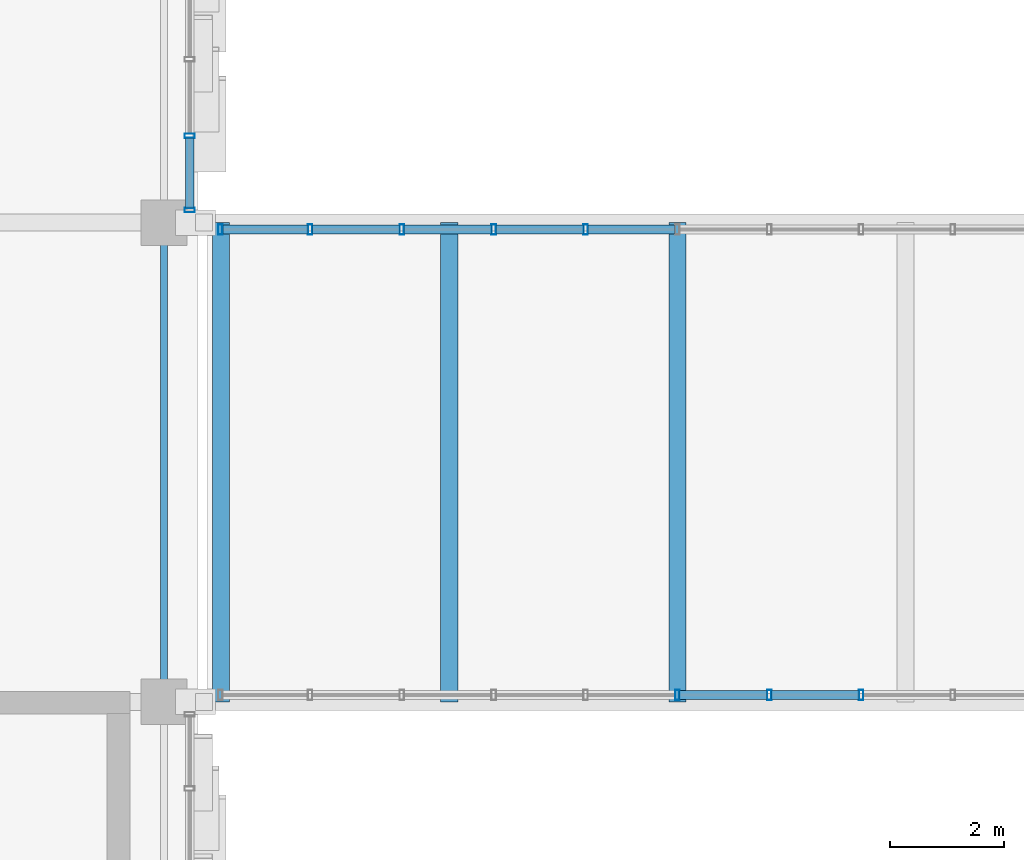
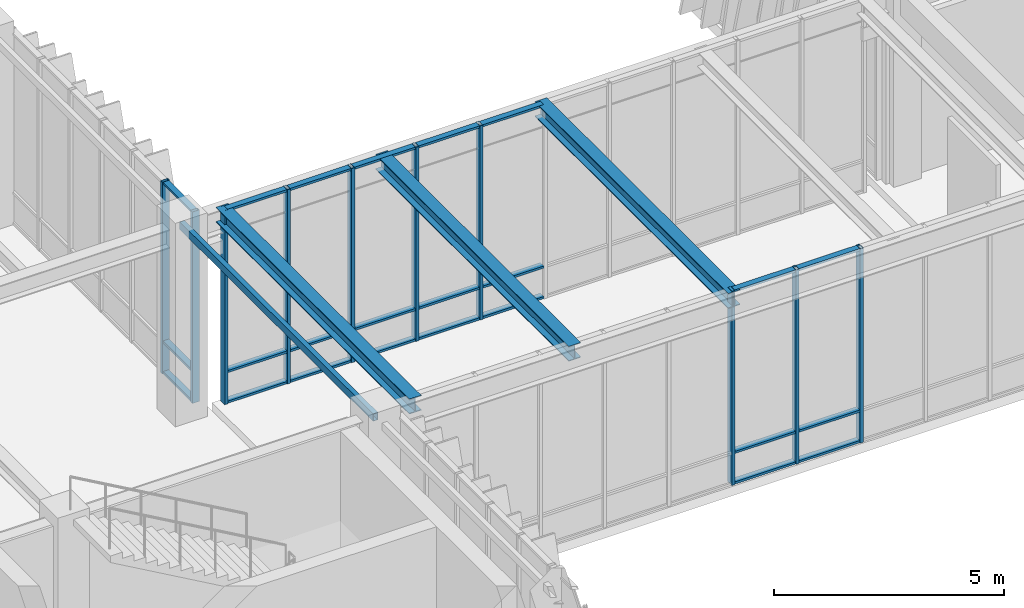
# One storey, part 58 of 139: 34 members, 4 beams, 3 elements without a shape of their own.
"""IFC4 building model written with IfcOpenShell, lengths in metres."""

import ifcopenshell
import ifcopenshell.guid

model = None  # the IFC model being written
_history = None  # IfcOwnerHistory: only IFC2X3 demands one
_inside = {}  # id of a spatial element -> (the spatial element, [elements in it])
_under = {}  # id of a project, library or spatial element -> (it, [spatial elements below it])
_declared = {}  # id of a project -> (the project, [libraries it declares])
_typed = {}  # id of a type object -> (the type object, [elements of that type])
_made_of = {}  # id of a material, layer set ... -> (it, [elements and type objects made of it])


def new_model(schema):
    """Start an empty IFC model of exactly this schema.

    Asked for "IFC4X3", IfcOpenShell would pick the latest addendum, in which some entities
    have other attributes; the version numbers below select the first issue.
    IFC2X3 requires an IfcOwnerHistory on every rooted entity: one is made here for all.
    """
    global model, _history
    if schema == "IFC4X3":
        model = ifcopenshell.file(schema_version=(4, 3, 0, 0))
    else:
        model = ifcopenshell.file(schema=schema)
    _inside.clear()
    _under.clear()
    _declared.clear()
    _typed.clear()
    _made_of.clear()
    _history = None
    if model.schema == "IFC2X3":
        org = make("IfcOrganization", Name="unknown")
        user = make(
            "IfcPersonAndOrganization",
            ThePerson=make("IfcPerson", FamilyName="unknown"),
            TheOrganization=org,
        )
        app = make(
            "IfcApplication",
            ApplicationDeveloper=org,
            Version="unknown",
            ApplicationFullName="unknown",
            ApplicationIdentifier="unknown",
        )
        _history = make(
            "IfcOwnerHistory",
            OwningUser=user,
            OwningApplication=app,
            ChangeAction="ADDED",
            CreationDate=0,
        )
    return model


def make(cls, **values):
    """One entity of the class cls with the attributes given. An attribute that is None is left unset."""
    return model.create_entity(
        cls, **{name: value for name, value in values.items() if value is not None}
    )


def rooted(cls, **values):
    """An entity with a GlobalId (a new one), such as an element, a storey or a relation."""
    return make(cls, GlobalId=ifcopenshell.guid.new(), OwnerHistory=_history, **values)


def si_unit(unit_type, name, prefix=None):
    """IfcSIUnit, for example si_unit("LENGTHUNIT", "METRE", prefix="MILLI")."""
    return make("IfcSIUnit", UnitType=unit_type, Prefix=prefix, Name=name)


def assignment(units):
    """IfcUnitAssignment: the units of a project."""
    return None if units is None else make("IfcUnitAssignment", Units=units)


def point(xyz):
    """IfcCartesianPoint."""
    return None if xyz is None else make("IfcCartesianPoint", Coordinates=xyz)


def direction(xyz):
    """IfcDirection."""
    return None if xyz is None else make("IfcDirection", DirectionRatios=xyz)


def frame(location, z_axis=None, x_axis=None):
    """IfcAxis2Placement3D, a coordinate frame: its origin and axes. An axis left out is left unset."""
    return make(
        "IfcAxis2Placement3D",
        Location=point(location),
        Axis=direction(z_axis),
        RefDirection=direction(x_axis),
    )


def frame_2d(location, x_axis=None):
    """IfcAxis2Placement2D, a coordinate frame in the plane: its origin and x axis."""
    return make(
        "IfcAxis2Placement2D", Location=point(location), RefDirection=direction(x_axis)
    )


def origin():
    """The frame at (0, 0, 0) with its axes left unset."""
    return frame((0.0, 0.0, 0.0))


def origin_2d():
    """The frame at (0, 0) in the plane with its x axis left unset."""
    return frame_2d((0.0, 0.0))


def place(relative_to, where):
    """IfcLocalPlacement: puts the frame where relative to a parent placement (None: the world)."""
    return make(
        "IfcLocalPlacement", PlacementRelTo=relative_to, RelativePlacement=where
    )


def context(
    kind, dimensions, precision=None, world=None, true_north=None, identifier=None
):
    """IfcGeometricRepresentationContext, for example the 3D "Model" context."""
    return make(
        "IfcGeometricRepresentationContext",
        ContextIdentifier=identifier,
        ContextType=kind,
        CoordinateSpaceDimension=dimensions,
        Precision=precision,
        WorldCoordinateSystem=world,
        TrueNorth=true_north,
    )


def subcontext(parent, identifier, kind, view, scale=None):
    """IfcGeometricRepresentationSubContext, for example "Body" below "Model"."""
    return make(
        "IfcGeometricRepresentationSubContext",
        ContextIdentifier=identifier,
        ContextType=kind,
        ParentContext=parent,
        TargetScale=scale,
        TargetView=view,
    )


def project(units=None, contexts=None):
    """IfcProject with its units and contexts."""
    return rooted(
        "IfcProject",
        Name="project",
        RepresentationContexts=contexts,
        UnitsInContext=assignment(units),
    )


def spatial(cls, under=None, at=None, **own):
    """A site, building, storey or space (cls), placed at a placement, below another one or the project."""
    s = rooted(cls, ObjectPlacement=at, **own)
    if under is not None:
        _under.setdefault(under.id(), (under, []))[1].append(s)
    return s


def profile(cls, at=None, kind="AREA", **sizes):
    """A parametric profile (cls). Its sizes go by their IFC names, for example OverallWidth=200.0."""
    return make(cls, ProfileType=kind, Position=at, **sizes)


def hollow_rectangle(**sizes):
    """IfcRectangleHollowProfileDef."""
    return profile("IfcRectangleHollowProfileDef", **sizes)


def i_section(**sizes):
    """IfcIShapeProfileDef."""
    return profile("IfcIShapeProfileDef", **sizes)


def extrude(swept, where, along, depth):
    """IfcExtrudedAreaSolid: the profile swept, set in the frame where, extruded along a direction by depth."""
    return make(
        "IfcExtrudedAreaSolid",
        SweptArea=swept,
        Position=where,
        ExtrudedDirection=direction(along),
        Depth=depth,
    )


def shape(context_of_items, identifier, shape_type, items):
    """IfcShapeRepresentation: the items that make up one representation, for example the "Body"."""
    return make(
        "IfcShapeRepresentation",
        ContextOfItems=context_of_items,
        RepresentationIdentifier=identifier,
        RepresentationType=shape_type,
        Items=items,
    )


def material(Name=None, Category=None):
    """IfcMaterial."""
    return make("IfcMaterial", Name=Name, Category=Category)


def layer(
    of_material, thickness, ventilated=None, Name=None, Category=None, Priority=None
):
    """IfcMaterialLayer: one layer of a wall or slab, of a material (None: an air gap)."""
    return make(
        "IfcMaterialLayer",
        Material=of_material,
        LayerThickness=thickness,
        IsVentilated=ventilated,
        Name=Name,
        Category=Category,
        Priority=Priority,
    )


def layer_set(layers, Name=None):
    """IfcMaterialLayerSet."""
    return make("IfcMaterialLayerSet", MaterialLayers=layers, LayerSetName=Name)


def material_profile(
    of_material, cross_section, Name=None, Category=None, Priority=None
):
    """IfcMaterialProfile: a cross section and its material."""
    return make(
        "IfcMaterialProfile",
        Name=Name,
        Material=of_material,
        Profile=cross_section,
        Priority=Priority,
        Category=Category,
    )


def profile_set(profiles, Name=None, composite=None):
    """IfcMaterialProfileSet."""
    return make(
        "IfcMaterialProfileSet",
        Name=Name,
        MaterialProfiles=profiles,
        CompositeProfile=composite,
    )


def made_of(thing, what):
    """Note that an element or type object is made of a material, layer set ...; save() writes the relation."""
    if what is not None:
        _made_of.setdefault(what.id(), (what, []))[1].append(thing)
    return thing


def type_object(cls, material=None, **own):
    """A type object (cls), such as IfcWallType, which elements share."""
    return made_of(rooted(cls, **own), material)


def element(
    cls,
    number,
    at=None,
    inside=None,
    cuts=None,
    type_object=None,
    material=None,
    context=None,
    identifier="Body",
    shape_type=None,
    held_by="IfcProductDefinitionShape",
    body=None,
    shapes=None,
    **own,
):
    """One element of the class cls, such as IfcWall. Its Tag is "e" and its number.

    at: its placement. inside: the storey or other place that contains it. cuts: it is an
    opening in that element (IfcRelVoidsElement). A single representation is given by context,
    identifier, shape_type and body (its items); several are given by shapes. held_by: the class
    of the entity that holds the representations. save() writes the other relations.
    """
    e = rooted(cls, Tag="e%d" % number, ObjectPlacement=at, **own)
    if body is not None:
        shapes = [shape(context, identifier, shape_type, body)]
    if shapes is not None:
        e.Representation = make(held_by, Representations=shapes)
    if inside is not None:
        _inside.setdefault(inside.id(), (inside, []))[1].append(e)
    if cuts is not None:
        rooted(
            "IfcRelVoidsElement", RelatingBuildingElement=cuts, RelatedOpeningElement=e
        )
    if type_object is not None:
        _typed.setdefault(type_object.id(), (type_object, []))[1].append(e)
    return made_of(e, material)


def aggregate(whole, parts):
    """IfcRelAggregates: a whole, such as a stair, and the parts it consists of."""
    return rooted("IfcRelAggregates", RelatingObject=whole, RelatedObjects=parts)


def save(model, path):
    """Write the relations noted so far, then the file.

    IfcRelAggregates (storeys below a building ...), IfcRelContainedInSpatialStructure (elements
    in a storey), IfcRelDefinesByType, IfcRelAssociatesMaterial and IfcRelDeclares: one each for
    every whole, place, type object, material and project.
    """
    for whole, parts in _under.values():
        aggregate(whole, parts)
    for where, things in _inside.values():
        rooted(
            "IfcRelContainedInSpatialStructure",
            RelatedElements=things,
            RelatingStructure=where,
        )
    for kind, things in _typed.values():
        rooted("IfcRelDefinesByType", RelatedObjects=things, RelatingType=kind)
    for what, things in _made_of.values():
        rooted("IfcRelAssociatesMaterial", RelatedObjects=things, RelatingMaterial=what)
    for by, libraries in _declared.values():
        rooted("IfcRelDeclares", RelatingContext=by, RelatedDefinitions=libraries)
    model.write(path)


model = new_model("IFC4")

# Units and contexts
model_context = context("Model", 3, precision=1e-05, world=origin(), true_north=direction((0.0, 1.0)))
body_context = subcontext(model_context, "Body", "Model", "MODEL_VIEW")
ifc_project = project(units=[si_unit("LENGTHUNIT", "METRE"), si_unit("AREAUNIT", "SQUARE_METRE"), si_unit("VOLUMEUNIT", "CUBIC_METRE"), si_unit("PLANEANGLEUNIT", "RADIAN"), si_unit("MASSUNIT", "GRAM", prefix="KILO")], contexts=[model_context])

# Site, building, storey
site_placement = place(None, origin())
site = spatial("IfcSite", under=ifc_project, at=site_placement, CompositionType="ELEMENT")
building_placement = place(site_placement, origin())
building = spatial("IfcBuilding", under=site, at=building_placement, Name="Zayran Congress Hotel", CompositionType="ELEMENT")
storey_placement = place(building_placement, frame((0.0, 0.0, 5.39990234375)))
storey = spatial("IfcBuildingStorey", under=building, at=storey_placement, Name="L01", CompositionType="ELEMENT", Elevation=5.39990234375)

# Beams
ifc_material_1 = material(Name="Steel S355", Category="steel")
ifc_material_profile_1 = material_profile(ifc_material_1, i_section(OverallWidth=0.300048828125, OverallDepth=0.39990234375, WebThickness=0.013427734375, FlangeThickness=0.02392578125, at=origin_2d()), Name="HEB 400")
ifc_profile_set_1 = profile_set([ifc_material_profile_1], Name="Steel S355")
beam_type_1 = type_object("IfcBeamType", Name="TP-BM-10", PredefinedType="BEAM", material=ifc_profile_set_1)
for number, where, z_axis, x_axis, name in (
    (1, (92.800048828125, 76.0, 4.9501953125), (0.0, 1.0, 0.0), (-1.0, 0.0, 0.0), "BM-BR1C-L01-2410"),
    (2, (96.800048828125, 76.0, 4.9501953125), (0.0, 1.0, 0.0), (-1.0, 0.0, 0.0), "BM-BR1C-L01-2411"),
    (3, (100.800048828125, 76.0, 4.9501953125), (0.0, 1.0, 0.0), (-1.0, 0.0, 0.0), "BM-BR1C-L01-2412"),
):
    element("IfcBeam", number, at=place(storey_placement, frame(where, z_axis=z_axis, x_axis=x_axis)), inside=storey, type_object=beam_type_1, Name=name, PredefinedType="BEAM", context=body_context, shape_type="SweptSolid", body=[
        extrude(i_section(OverallWidth=0.300048828125, OverallDepth=0.39990234375, WebThickness=0.013427734375, FlangeThickness=0.02392578125, at=origin_2d()), origin(), (0.0, 0.0, 1.0), 8.39990234375),
    ])
ifc_material_profile_2 = material_profile(ifc_material_1, hollow_rectangle(XDim=0.1201171875, YDim=0.199951171875, WallThickness=0.008056640625, at=origin_2d()), Name="RHS 200x120x8")
ifc_profile_set_2 = profile_set([ifc_material_profile_2], Name="Steel S355")
beam_type_2 = type_object("IfcBeamType", Name="TP-SP-02", PredefinedType="SPANDREL", material=ifc_profile_set_2)
beam_placement = place(storey_placement, frame((91.800048828125, 76.0, 4.97998046875), z_axis=(0.0, 1.0, 0.0), x_axis=(-1.0, 0.0, 0.0)))
element("IfcBeam", 4, at=beam_placement, inside=storey, type_object=beam_type_2, Name="BM-V1-L01-0613", PredefinedType="SPANDREL", context=body_context, shape_type="SweptSolid", body=[
    extrude(hollow_rectangle(XDim=0.1201171875, YDim=0.199951171875, WallThickness=0.008056640625, at=origin_2d()), origin(), (0.0, 0.0, 1.0), 8.39990234375),
])

# Curtain wall, members
ifc_material_2 = material(Name="Anodised aluminium and low-E insulated glass", Category="aluminium")
ifc_layer_1 = layer(ifc_material_2, 0.179931640625)
ifc_layer_set_1 = layer_set([ifc_layer_1], Name="Anodised aluminium and low-E insulated glass")
curtain_wall_type_1 = type_object("IfcCurtainWallType", Name="CW-V1E-L01-CW-41-8040-5080", PredefinedType="USERDEFINED", material=ifc_layer_set_1)
curtain_wall_1_placement = place(storey_placement, origin())
curtain_wall_1 = element("IfcCurtainWall", 5, at=curtain_wall_1_placement, inside=storey, type_object=curtain_wall_type_1, Name="CW-V1E-L01-2", ObjectType="CURTAIN WALL", PredefinedType="USERDEFINED")
ifc_material_3 = material(Name="Anodised aluminium framing", Category="aluminium")
ifc_material_profile_3 = material_profile(ifc_material_3, hollow_rectangle(XDim=0.080078125, YDim=0.179931640625, WallThickness=0.0048828125, at=origin_2d()), Name="RHS 180x80x5")
ifc_profile_set_3 = profile_set([ifc_material_profile_3], Name="Anodised aluminium framing")
member_type_1 = type_object("IfcMemberType", Name="TP-CWM-01", PredefinedType="MULLION", material=ifc_profile_set_3)
member_1_placement = place(storey_placement, frame((92.25, 84.6201171875, 0.0), z_axis=(0.0, 0.0, 1.0), x_axis=(0.0, 1.0, 0.0)))
member_1 = element("IfcMember", 6, at=member_1_placement, type_object=member_type_1, Name="CW-V1E-L01-2-M00", PredefinedType="MULLION", context=body_context, shape_type="SweptSolid", body=[
    extrude(hollow_rectangle(XDim=0.080078125, YDim=0.179931640625, WallThickness=0.0048828125, at=origin_2d()), origin(), (0.0, 0.0, 1.0), 5.080078125),
])
member_2_placement = place(storey_placement, frame((92.25, 85.919921875, 0.0), z_axis=(0.0, 0.0, 1.0), x_axis=(0.0, 1.0, 0.0)))
member_2 = element("IfcMember", 7, at=member_2_placement, type_object=member_type_1, Name="CW-V1E-L01-2-M01", PredefinedType="MULLION", context=body_context, shape_type="SweptSolid", body=[
    extrude(hollow_rectangle(XDim=0.080078125, YDim=0.179931640625, WallThickness=0.0048828125, at=origin_2d()), origin(), (0.0, 0.0, 1.0), 5.080078125),
])

ifc_layer_2 = layer(ifc_material_2, 0.179931640625)
ifc_layer_set_2 = layer_set([ifc_layer_2], Name="Anodised aluminium and low-E insulated glass")
curtain_wall_type_2 = type_object("IfcCurtainWallType", Name="CW-BR1-L01-CW-BR1-16100-5150", PredefinedType="USERDEFINED", material=ifc_layer_set_2)
curtain_wall_2_placement = place(storey_placement, origin())
curtain_wall_2 = element("IfcCurtainWall", 8, at=curtain_wall_2_placement, inside=storey, type_object=curtain_wall_type_2, Name="CW-BR1S-L01", ObjectType="CURTAIN WALL", PredefinedType="USERDEFINED")
member_3_placement = place(storey_placement, frame((100.800048828125, 76.1201171875, 0.0), z_axis=(0.0, 0.0, 1.0), x_axis=(1.0, 0.0, 0.0)))
member_3 = element("IfcMember", 9, at=member_3_placement, type_object=member_type_1, Name="CW-BR1S-L01-M05", PredefinedType="MULLION", context=body_context, shape_type="SweptSolid", body=[
    extrude(hollow_rectangle(XDim=0.080078125, YDim=0.179931640625, WallThickness=0.0048828125, at=origin_2d()), origin(), (0.0, 0.0, 1.0), 5.150146484375),
])
member_4_placement = place(storey_placement, frame((102.409912109375, 76.1201171875, 0.0), z_axis=(0.0, 0.0, 1.0), x_axis=(1.0, 0.0, 0.0)))
member_4 = element("IfcMember", 10, at=member_4_placement, type_object=member_type_1, Name="CW-BR1S-L01-M06", PredefinedType="MULLION", context=body_context, shape_type="SweptSolid", body=[
    extrude(hollow_rectangle(XDim=0.080078125, YDim=0.179931640625, WallThickness=0.0048828125, at=origin_2d()), origin(), (0.0, 0.0, 1.0), 5.150146484375),
])
member_5_placement = place(storey_placement, frame((104.02001953125, 76.1201171875, 0.0), z_axis=(0.0, 0.0, 1.0), x_axis=(1.0, 0.0, 0.0)))
member_5 = element("IfcMember", 11, at=member_5_placement, type_object=member_type_1, Name="CW-BR1S-L01-M07", PredefinedType="MULLION", context=body_context, shape_type="SweptSolid", body=[
    extrude(hollow_rectangle(XDim=0.080078125, YDim=0.179931640625, WallThickness=0.0048828125, at=origin_2d()), origin(), (0.0, 0.0, 1.0), 5.150146484375),
])

curtain_wall_3_placement = place(storey_placement, origin())
curtain_wall_3 = element("IfcCurtainWall", 12, at=curtain_wall_3_placement, inside=storey, type_object=curtain_wall_type_2, Name="CW-BR1N-L01", ObjectType="CURTAIN WALL", PredefinedType="USERDEFINED")
member_6_placement = place(storey_placement, frame((99.18994140625, 84.280029296875, 0.0), z_axis=(0.0, 0.0, 1.0), x_axis=(1.0, 0.0, 0.0)))
member_6 = element("IfcMember", 13, at=member_6_placement, type_object=member_type_1, Name="CW-BR1N-L01-M06", PredefinedType="MULLION", context=body_context, shape_type="SweptSolid", body=[
    extrude(hollow_rectangle(XDim=0.080078125, YDim=0.179931640625, WallThickness=0.0048828125, at=origin_2d()), origin(), (0.0, 0.0, 1.0), 5.150146484375),
])
member_7_placement = place(storey_placement, frame((97.580078125, 84.280029296875, 0.0), z_axis=(0.0, 0.0, 1.0), x_axis=(1.0, 0.0, 0.0)))
member_7 = element("IfcMember", 14, at=member_7_placement, type_object=member_type_1, Name="CW-BR1N-L01-M07", PredefinedType="MULLION", context=body_context, shape_type="SweptSolid", body=[
    extrude(hollow_rectangle(XDim=0.080078125, YDim=0.179931640625, WallThickness=0.0048828125, at=origin_2d()), origin(), (0.0, 0.0, 1.0), 5.150146484375),
])
member_8_placement = place(storey_placement, frame((95.969970703125, 84.280029296875, 0.0), z_axis=(0.0, 0.0, 1.0), x_axis=(1.0, 0.0, 0.0)))
member_8 = element("IfcMember", 15, at=member_8_placement, type_object=member_type_1, Name="CW-BR1N-L01-M08", PredefinedType="MULLION", context=body_context, shape_type="SweptSolid", body=[
    extrude(hollow_rectangle(XDim=0.080078125, YDim=0.179931640625, WallThickness=0.0048828125, at=origin_2d()), origin(), (0.0, 0.0, 1.0), 5.150146484375),
])
member_9_placement = place(storey_placement, frame((94.360107421875, 84.280029296875, 0.0), z_axis=(0.0, 0.0, 1.0), x_axis=(1.0, 0.0, 0.0)))
member_9 = element("IfcMember", 16, at=member_9_placement, type_object=member_type_1, Name="CW-BR1N-L01-M09", PredefinedType="MULLION", context=body_context, shape_type="SweptSolid", body=[
    extrude(hollow_rectangle(XDim=0.080078125, YDim=0.179931640625, WallThickness=0.0048828125, at=origin_2d()), origin(), (0.0, 0.0, 1.0), 5.150146484375),
])
member_10_placement = place(storey_placement, frame((92.7900390625, 84.280029296875, 0.0), z_axis=(0.0, 0.0, 1.0), x_axis=(1.0, 0.0, 0.0)))
member_10 = element("IfcMember", 17, at=member_10_placement, type_object=member_type_1, Name="CW-BR1N-L01-M10", PredefinedType="MULLION", context=body_context, shape_type="SweptSolid", body=[
    extrude(hollow_rectangle(XDim=0.080078125, YDim=0.179931640625, WallThickness=0.0048828125, at=origin_2d()), origin(), (0.0, 0.0, 1.0), 5.150146484375),
])

# Member
ifc_material_profile_4 = material_profile(ifc_material_3, hollow_rectangle(XDim=0.06005859375, YDim=0.14990234375, WallThickness=0.00390625, at=origin_2d()), Name="RHS 150x60x4")
ifc_profile_set_4 = profile_set([ifc_material_profile_4], Name="Anodised aluminium framing")
member_type_2 = type_object("IfcMemberType", Name="TP-CWT-01", PredefinedType="USERDEFINED", material=ifc_profile_set_4)
member_11_placement = place(storey_placement, frame((92.25, 84.659912109375, 0.030029296875), z_axis=(0.0, 1.0, 0.0), x_axis=(0.0, 0.0, 1.0)))
member_11 = element("IfcMember", 18, at=member_11_placement, type_object=member_type_2, Name="CW-V1E-L01-2-T00-0", ObjectType="TRANSOM", PredefinedType="USERDEFINED", context=body_context, shape_type="SweptSolid", body=[
    extrude(hollow_rectangle(XDim=0.06005859375, YDim=0.14990234375, WallThickness=0.00390625, at=origin_2d()), origin(), (0.0, 0.0, 1.0), 1.219970703125),
])

member_12_placement = place(storey_placement, frame((92.25, 84.659912109375, 0.840087890625), z_axis=(0.0, 1.0, 0.0), x_axis=(0.0, 0.0, 1.0)))
member_12 = element("IfcMember", 19, at=member_12_placement, type_object=member_type_2, Name="CW-V1E-L01-2-T00-1", ObjectType="TRANSOM", PredefinedType="USERDEFINED", context=body_context, shape_type="SweptSolid", body=[
    extrude(hollow_rectangle(XDim=0.06005859375, YDim=0.14990234375, WallThickness=0.00390625, at=origin_2d()), origin(), (0.0, 0.0, 1.0), 1.219970703125),
])

member_13_placement = place(storey_placement, frame((92.25, 84.659912109375, 5.050048828125), z_axis=(0.0, 1.0, 0.0), x_axis=(0.0, 0.0, 1.0)))
member_13 = element("IfcMember", 20, at=member_13_placement, type_object=member_type_2, Name="CW-V1E-L01-2-T00-2", ObjectType="TRANSOM", PredefinedType="USERDEFINED", context=body_context, shape_type="SweptSolid", body=[
    extrude(hollow_rectangle(XDim=0.06005859375, YDim=0.14990234375, WallThickness=0.00390625, at=origin_2d()), origin(), (0.0, 0.0, 1.0), 1.219970703125),
])

aggregate(curtain_wall_1, [member_1, member_2, member_11, member_12, member_13])

member_14_placement = place(storey_placement, frame((100.840087890625, 76.1201171875, 0.030029296875), z_axis=(1.0, 0.0, 0.0), x_axis=(0.0, 0.0, 1.0)))
member_14 = element("IfcMember", 21, at=member_14_placement, type_object=member_type_2, Name="CW-BR1S-L01-T05-0", ObjectType="TRANSOM", PredefinedType="USERDEFINED", context=body_context, shape_type="SweptSolid", body=[
    extrude(hollow_rectangle(XDim=0.06005859375, YDim=0.14990234375, WallThickness=0.00390625, at=origin_2d()), origin(), (0.0, 0.0, 1.0), 1.530029296875),
])

member_15_placement = place(storey_placement, frame((100.840087890625, 76.1201171875, 0.840087890625), z_axis=(1.0, 0.0, 0.0), x_axis=(0.0, 0.0, 1.0)))
member_15 = element("IfcMember", 22, at=member_15_placement, type_object=member_type_2, Name="CW-BR1S-L01-T05-1", ObjectType="TRANSOM", PredefinedType="USERDEFINED", context=body_context, shape_type="SweptSolid", body=[
    extrude(hollow_rectangle(XDim=0.06005859375, YDim=0.14990234375, WallThickness=0.00390625, at=origin_2d()), origin(), (0.0, 0.0, 1.0), 1.530029296875),
])

member_16_placement = place(storey_placement, frame((100.840087890625, 76.1201171875, 5.1201171875), z_axis=(1.0, 0.0, 0.0), x_axis=(0.0, 0.0, 1.0)))
member_16 = element("IfcMember", 23, at=member_16_placement, type_object=member_type_2, Name="CW-BR1S-L01-T05-2", ObjectType="TRANSOM", PredefinedType="USERDEFINED", context=body_context, shape_type="SweptSolid", body=[
    extrude(hollow_rectangle(XDim=0.06005859375, YDim=0.14990234375, WallThickness=0.00390625, at=origin_2d()), origin(), (0.0, 0.0, 1.0), 1.530029296875),
])

member_17_placement = place(storey_placement, frame((102.449951171875, 76.1201171875, 0.030029296875), z_axis=(1.0, 0.0, 0.0), x_axis=(0.0, 0.0, 1.0)))
member_17 = element("IfcMember", 24, at=member_17_placement, type_object=member_type_2, Name="CW-BR1S-L01-T06-0", ObjectType="TRANSOM", PredefinedType="USERDEFINED", context=body_context, shape_type="SweptSolid", body=[
    extrude(hollow_rectangle(XDim=0.06005859375, YDim=0.14990234375, WallThickness=0.00390625, at=origin_2d()), origin(), (0.0, 0.0, 1.0), 1.530029296875),
])

member_18_placement = place(storey_placement, frame((102.449951171875, 76.1201171875, 0.840087890625), z_axis=(1.0, 0.0, 0.0), x_axis=(0.0, 0.0, 1.0)))
member_18 = element("IfcMember", 25, at=member_18_placement, type_object=member_type_2, Name="CW-BR1S-L01-T06-1", ObjectType="TRANSOM", PredefinedType="USERDEFINED", context=body_context, shape_type="SweptSolid", body=[
    extrude(hollow_rectangle(XDim=0.06005859375, YDim=0.14990234375, WallThickness=0.00390625, at=origin_2d()), origin(), (0.0, 0.0, 1.0), 1.530029296875),
])

member_19_placement = place(storey_placement, frame((102.449951171875, 76.1201171875, 5.1201171875), z_axis=(1.0, 0.0, 0.0), x_axis=(0.0, 0.0, 1.0)))
member_19 = element("IfcMember", 26, at=member_19_placement, type_object=member_type_2, Name="CW-BR1S-L01-T06-2", ObjectType="TRANSOM", PredefinedType="USERDEFINED", context=body_context, shape_type="SweptSolid", body=[
    extrude(hollow_rectangle(XDim=0.06005859375, YDim=0.14990234375, WallThickness=0.00390625, at=origin_2d()), origin(), (0.0, 0.0, 1.0), 1.530029296875),
])

aggregate(curtain_wall_2, [member_3, member_4, member_5, member_14, member_15, member_16, member_17, member_18, member_19])

member_20_placement = place(storey_placement, frame((100.760009765625, 84.280029296875, 0.030029296875), z_axis=(-1.0, 0.0, 0.0), x_axis=(0.0, 0.0, 1.0)))
member_20 = element("IfcMember", 27, at=member_20_placement, type_object=member_type_2, Name="CW-BR1N-L01-T05-0", ObjectType="TRANSOM", PredefinedType="USERDEFINED", context=body_context, shape_type="SweptSolid", body=[
    extrude(hollow_rectangle(XDim=0.06005859375, YDim=0.14990234375, WallThickness=0.00390625, at=origin_2d()), origin(), (0.0, 0.0, 1.0), 1.530029296875),
])

member_21_placement = place(storey_placement, frame((100.760009765625, 84.280029296875, 0.840087890625), z_axis=(-1.0, 0.0, 0.0), x_axis=(0.0, 0.0, 1.0)))
member_21 = element("IfcMember", 28, at=member_21_placement, type_object=member_type_2, Name="CW-BR1N-L01-T05-1", ObjectType="TRANSOM", PredefinedType="USERDEFINED", context=body_context, shape_type="SweptSolid", body=[
    extrude(hollow_rectangle(XDim=0.06005859375, YDim=0.14990234375, WallThickness=0.00390625, at=origin_2d()), origin(), (0.0, 0.0, 1.0), 1.530029296875),
])

member_22_placement = place(storey_placement, frame((100.760009765625, 84.280029296875, 5.1201171875), z_axis=(-1.0, 0.0, 0.0), x_axis=(0.0, 0.0, 1.0)))
member_22 = element("IfcMember", 29, at=member_22_placement, type_object=member_type_2, Name="CW-BR1N-L01-T05-2", ObjectType="TRANSOM", PredefinedType="USERDEFINED", context=body_context, shape_type="SweptSolid", body=[
    extrude(hollow_rectangle(XDim=0.06005859375, YDim=0.14990234375, WallThickness=0.00390625, at=origin_2d()), origin(), (0.0, 0.0, 1.0), 1.530029296875),
])

member_23_placement = place(storey_placement, frame((99.14990234375, 84.280029296875, 0.030029296875), z_axis=(-1.0, 0.0, 0.0), x_axis=(0.0, 0.0, 1.0)))
member_23 = element("IfcMember", 30, at=member_23_placement, type_object=member_type_2, Name="CW-BR1N-L01-T06-0", ObjectType="TRANSOM", PredefinedType="USERDEFINED", context=body_context, shape_type="SweptSolid", body=[
    extrude(hollow_rectangle(XDim=0.06005859375, YDim=0.14990234375, WallThickness=0.00390625, at=origin_2d()), origin(), (0.0, 0.0, 1.0), 1.52978515625),
])

member_24_placement = place(storey_placement, frame((99.14990234375, 84.280029296875, 0.840087890625), z_axis=(-1.0, 0.0, 0.0), x_axis=(0.0, 0.0, 1.0)))
member_24 = element("IfcMember", 31, at=member_24_placement, type_object=member_type_2, Name="CW-BR1N-L01-T06-1", ObjectType="TRANSOM", PredefinedType="USERDEFINED", context=body_context, shape_type="SweptSolid", body=[
    extrude(hollow_rectangle(XDim=0.06005859375, YDim=0.14990234375, WallThickness=0.00390625, at=origin_2d()), origin(), (0.0, 0.0, 1.0), 1.52978515625),
])

member_25_placement = place(storey_placement, frame((99.14990234375, 84.280029296875, 5.1201171875), z_axis=(-1.0, 0.0, 0.0), x_axis=(0.0, 0.0, 1.0)))
member_25 = element("IfcMember", 32, at=member_25_placement, type_object=member_type_2, Name="CW-BR1N-L01-T06-2", ObjectType="TRANSOM", PredefinedType="USERDEFINED", context=body_context, shape_type="SweptSolid", body=[
    extrude(hollow_rectangle(XDim=0.06005859375, YDim=0.14990234375, WallThickness=0.00390625, at=origin_2d()), origin(), (0.0, 0.0, 1.0), 1.52978515625),
])

member_26_placement = place(storey_placement, frame((97.5400390625, 84.280029296875, 0.030029296875), z_axis=(-1.0, 0.0, 0.0), x_axis=(0.0, 0.0, 1.0)))
member_26 = element("IfcMember", 33, at=member_26_placement, type_object=member_type_2, Name="CW-BR1N-L01-T07-0", ObjectType="TRANSOM", PredefinedType="USERDEFINED", context=body_context, shape_type="SweptSolid", body=[
    extrude(hollow_rectangle(XDim=0.06005859375, YDim=0.14990234375, WallThickness=0.00390625, at=origin_2d()), origin(), (0.0, 0.0, 1.0), 1.530029296875),
])

member_27_placement = place(storey_placement, frame((97.5400390625, 84.280029296875, 0.840087890625), z_axis=(-1.0, 0.0, 0.0), x_axis=(0.0, 0.0, 1.0)))
member_27 = element("IfcMember", 34, at=member_27_placement, type_object=member_type_2, Name="CW-BR1N-L01-T07-1", ObjectType="TRANSOM", PredefinedType="USERDEFINED", context=body_context, shape_type="SweptSolid", body=[
    extrude(hollow_rectangle(XDim=0.06005859375, YDim=0.14990234375, WallThickness=0.00390625, at=origin_2d()), origin(), (0.0, 0.0, 1.0), 1.530029296875),
])

member_28_placement = place(storey_placement, frame((97.5400390625, 84.280029296875, 5.1201171875), z_axis=(-1.0, 0.0, 0.0), x_axis=(0.0, 0.0, 1.0)))
member_28 = element("IfcMember", 35, at=member_28_placement, type_object=member_type_2, Name="CW-BR1N-L01-T07-2", ObjectType="TRANSOM", PredefinedType="USERDEFINED", context=body_context, shape_type="SweptSolid", body=[
    extrude(hollow_rectangle(XDim=0.06005859375, YDim=0.14990234375, WallThickness=0.00390625, at=origin_2d()), origin(), (0.0, 0.0, 1.0), 1.530029296875),
])

member_29_placement = place(storey_placement, frame((95.929931640625, 84.280029296875, 0.030029296875), z_axis=(-1.0, 0.0, 0.0), x_axis=(0.0, 0.0, 1.0)))
member_29 = element("IfcMember", 36, at=member_29_placement, type_object=member_type_2, Name="CW-BR1N-L01-T08-0", ObjectType="TRANSOM", PredefinedType="USERDEFINED", context=body_context, shape_type="SweptSolid", body=[
    extrude(hollow_rectangle(XDim=0.06005859375, YDim=0.14990234375, WallThickness=0.00390625, at=origin_2d()), origin(), (0.0, 0.0, 1.0), 1.530029296875),
])

member_30_placement = place(storey_placement, frame((95.929931640625, 84.280029296875, 0.840087890625), z_axis=(-1.0, 0.0, 0.0), x_axis=(0.0, 0.0, 1.0)))
member_30 = element("IfcMember", 37, at=member_30_placement, type_object=member_type_2, Name="CW-BR1N-L01-T08-1", ObjectType="TRANSOM", PredefinedType="USERDEFINED", context=body_context, shape_type="SweptSolid", body=[
    extrude(hollow_rectangle(XDim=0.06005859375, YDim=0.14990234375, WallThickness=0.00390625, at=origin_2d()), origin(), (0.0, 0.0, 1.0), 1.530029296875),
])

member_31_placement = place(storey_placement, frame((95.929931640625, 84.280029296875, 5.1201171875), z_axis=(-1.0, 0.0, 0.0), x_axis=(0.0, 0.0, 1.0)))
member_31 = element("IfcMember", 38, at=member_31_placement, type_object=member_type_2, Name="CW-BR1N-L01-T08-2", ObjectType="TRANSOM", PredefinedType="USERDEFINED", context=body_context, shape_type="SweptSolid", body=[
    extrude(hollow_rectangle(XDim=0.06005859375, YDim=0.14990234375, WallThickness=0.00390625, at=origin_2d()), origin(), (0.0, 0.0, 1.0), 1.530029296875),
])

member_32_placement = place(storey_placement, frame((94.320068359375, 84.280029296875, 0.030029296875), z_axis=(-1.0, 0.0, 0.0), x_axis=(0.0, 0.0, 1.0)))
member_32 = element("IfcMember", 39, at=member_32_placement, type_object=member_type_2, Name="CW-BR1N-L01-T09-0", ObjectType="TRANSOM", PredefinedType="USERDEFINED", context=body_context, shape_type="SweptSolid", body=[
    extrude(hollow_rectangle(XDim=0.06005859375, YDim=0.14990234375, WallThickness=0.00390625, at=origin_2d()), origin(), (0.0, 0.0, 1.0), 1.489990234375),
])

member_33_placement = place(storey_placement, frame((94.320068359375, 84.280029296875, 0.840087890625), z_axis=(-1.0, 0.0, 0.0), x_axis=(0.0, 0.0, 1.0)))
member_33 = element("IfcMember", 40, at=member_33_placement, type_object=member_type_2, Name="CW-BR1N-L01-T09-1", ObjectType="TRANSOM", PredefinedType="USERDEFINED", context=body_context, shape_type="SweptSolid", body=[
    extrude(hollow_rectangle(XDim=0.06005859375, YDim=0.14990234375, WallThickness=0.00390625, at=origin_2d()), origin(), (0.0, 0.0, 1.0), 1.489990234375),
])

member_34_placement = place(storey_placement, frame((94.320068359375, 84.280029296875, 5.1201171875), z_axis=(-1.0, 0.0, 0.0), x_axis=(0.0, 0.0, 1.0)))
member_34 = element("IfcMember", 41, at=member_34_placement, type_object=member_type_2, Name="CW-BR1N-L01-T09-2", ObjectType="TRANSOM", PredefinedType="USERDEFINED", context=body_context, shape_type="SweptSolid", body=[
    extrude(hollow_rectangle(XDim=0.06005859375, YDim=0.14990234375, WallThickness=0.00390625, at=origin_2d()), origin(), (0.0, 0.0, 1.0), 1.489990234375),
])

aggregate(curtain_wall_3, [member_6, member_7, member_8, member_9, member_10, member_20, member_21, member_22, member_23, member_24, member_25, member_26, member_27, member_28, member_29, member_30, member_31, member_32, member_33, member_34])

save(model, "model.ifc")
